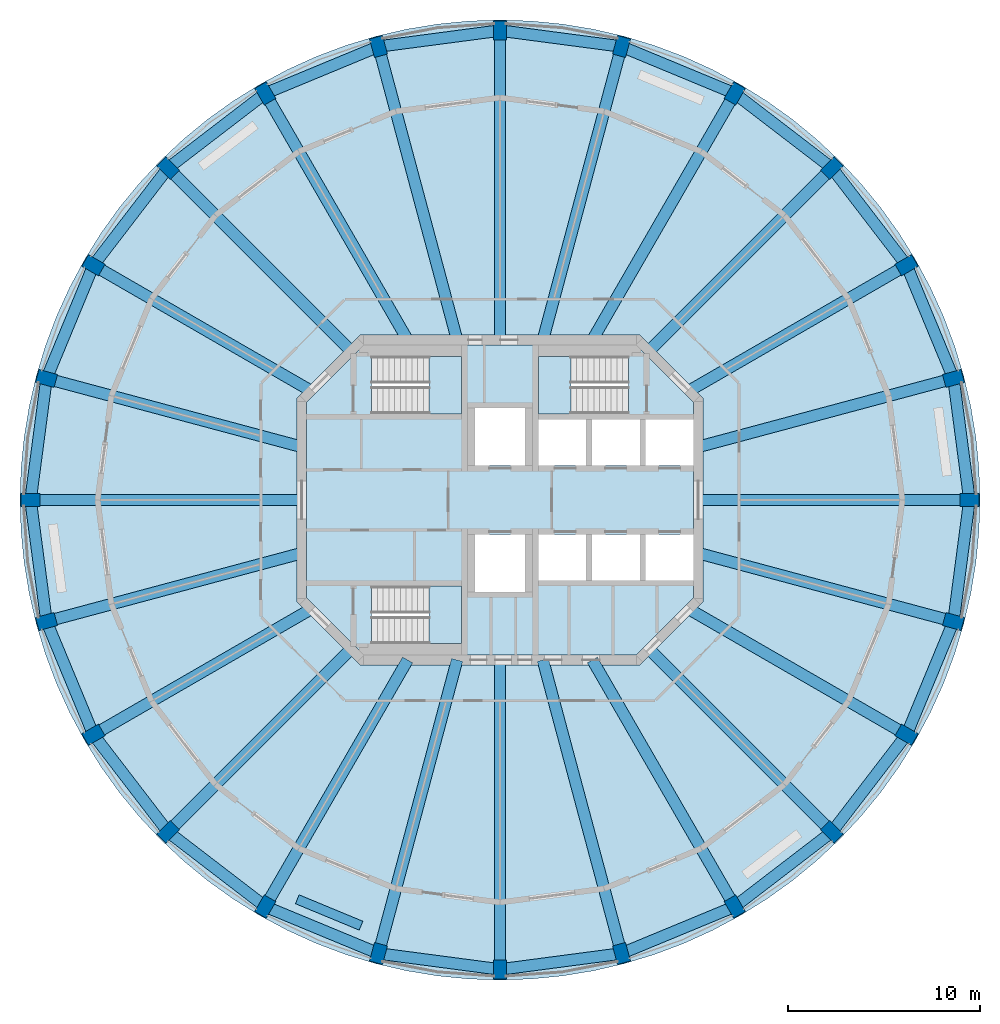
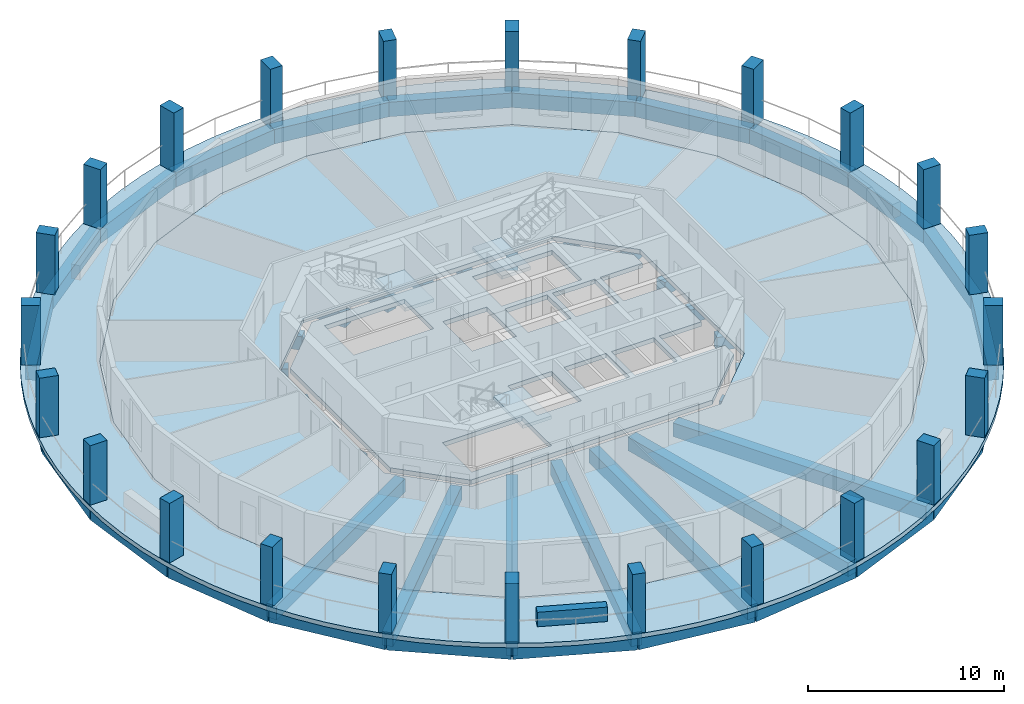
# One storey, part 1 of 9: 48 beams, 24 columns, 6 slabs, 1 wall, 3 elements without a shape of their own.
"""IFC4 building model written with IfcOpenShell, lengths in metres."""

from ifc_helpers import new_model, si_unit, direction, frame, frame_2d, origin, origin_2d, place, context, subcontext, project, spatial, polyline, rectangle, outline, extrude, material, layer, layer_set, material_profile, profile_set, type_object, element, aggregate, save


model = new_model("IFC4")

# Units and contexts
model_context = context("Model", 3, precision=1e-05, world=origin(), true_north=direction((0.0, 1.0)))
body_context = subcontext(model_context, "Body", "Model", "MODEL_VIEW")
ifc_project = project(units=[si_unit("LENGTHUNIT", "METRE"), si_unit("AREAUNIT", "SQUARE_METRE"), si_unit("VOLUMEUNIT", "CUBIC_METRE"), si_unit("PLANEANGLEUNIT", "RADIAN"), si_unit("MASSUNIT", "GRAM", prefix="KILO")], contexts=[model_context])

# Site, building, storey
site_placement = place(None, origin())
site = spatial("IfcSite", under=ifc_project, at=site_placement, CompositionType="ELEMENT")
building_placement = place(site_placement, origin())
building = spatial("IfcBuilding", under=site, at=building_placement, Name="Torre Triforio", CompositionType="ELEMENT")
storey_placement = place(building_placement, frame((0.0, 0.0, 264.89990234375)))
storey = spatial("IfcBuildingStorey", under=building, at=storey_placement, Name="L61", CompositionType="ELEMENT", Elevation=264.89990234375)

# Columns
ifc_material_1 = material(Name="Concrete C40", Category="concrete")
ifc_material_profile_1 = material_profile(ifc_material_1, rectangle(XDim=0.699951171875, YDim=1.0, at=origin_2d()), Name="RC 700x1000")
ifc_profile_set_1 = profile_set([ifc_material_profile_1], Name="Concrete C40")
column_type = type_object("IfcColumnType", Name="Pier RC 700x1000 C40", PredefinedType="COLUMN", material=ifc_profile_set_1)
for number, where, z_axis, x_axis, name in (
    (1, (24.5, 0.0, 0.0), (0.0, 0.0, 1.0), (0.0, 1.0, 0.0), "COL.R.L61.00"),
    (2, (23.665283203125, 6.341064453125, 0.0), (0.0, 0.0, 1.0), (-0.258819045103, 0.965925826289, 0.0), "COL.R.L61.01"),
    (3, (21.217529296875, 12.25, 0.0), (0.0, 0.0, 1.0), (-0.5, 0.866025403784, 0.0), "COL.R.L61.02"),
    (4, (17.32421875, 17.32421875, 0.0), (0.0, 0.0, 1.0), (-0.707106781187, 0.707106781187, 0.0), "COL.R.L61.03"),
    (5, (12.25, 21.217529296875, 0.0), (0.0, 0.0, 1.0), (-0.866025403784, 0.5, 0.0), "COL.R.L61.04"),
    (6, (6.341064453125, 23.665283203125, 0.0), (0.0, 0.0, 1.0), (-0.965925826289, 0.258819045103, 0.0), "COL.R.L61.05"),
    (7, (0.0, 24.5, 0.0), (0.0, 0.0, 1.0), (-1.0, 0.0, 0.0), "COL.R.L61.06"),
    (8, (-6.341064453125, 23.665283203125, 0.0), (0.0, 0.0, 1.0), (-0.965925826289, -0.258819045103, 0.0), "COL.R.L61.07"),
    (9, (-12.25, 21.217529296875, 0.0), (0.0, 0.0, 1.0), (-0.866025403784, -0.5, 0.0), "COL.R.L61.08"),
    (10, (-17.32421875, 17.32421875, 0.0), (0.0, 0.0, 1.0), (-0.707106781187, -0.707106781187, 0.0), "COL.R.L61.09"),
    (11, (-21.217529296875, 12.25, 0.0), (0.0, 0.0, 1.0), (-0.5, -0.866025403784, 0.0), "COL.R.L61.10"),
    (12, (-23.665283203125, 6.341064453125, 0.0), (0.0, 0.0, 1.0), (-0.258819045103, -0.965925826289, 0.0), "COL.R.L61.11"),
    (13, (-24.5, 0.0, 0.0), (0.0, 0.0, 1.0), (0.0, -1.0, 0.0), "COL.R.L61.12"),
    (14, (-23.665283203125, -6.341064453125, 0.0), (0.0, 0.0, 1.0), (0.258819045103, -0.965925826289, 0.0), "COL.R.L61.13"),
    (15, (-21.217529296875, -12.25, 0.0), (0.0, 0.0, 1.0), (0.5, -0.866025403784, 0.0), "COL.R.L61.14"),
    (16, (-17.32421875, -17.32421875, 0.0), (0.0, 0.0, 1.0), (0.707106781187, -0.707106781187, 0.0), "COL.R.L61.15"),
    (17, (-12.25, -21.217529296875, 0.0), (0.0, 0.0, 1.0), (0.866025403784, -0.5, 0.0), "COL.R.L61.16"),
    (18, (-6.341064453125, -23.665283203125, 0.0), (0.0, 0.0, 1.0), (0.965925826289, -0.258819045103, 0.0), "COL.R.L61.17"),
    (19, (0.0, -24.5, 0.0), (0.0, 0.0, 1.0), (1.0, 0.0, 0.0), "COL.R.L61.18"),
    (20, (6.341064453125, -23.665283203125, 0.0), (0.0, 0.0, 1.0), (0.965925826289, 0.258819045103, 0.0), "COL.R.L61.19"),
    (21, (12.25, -21.217529296875, 0.0), (0.0, 0.0, 1.0), (0.866025403784, 0.5, 0.0), "COL.R.L61.20"),
    (22, (17.32421875, -17.32421875, 0.0), (0.0, 0.0, 1.0), (0.707106781187, 0.707106781187, 0.0), "COL.R.L61.21"),
    (23, (21.217529296875, -12.25, 0.0), (0.0, 0.0, 1.0), (0.5, 0.866025403784, 0.0), "COL.R.L61.22"),
    (24, (23.665283203125, -6.341064453125, 0.0), (0.0, 0.0, 1.0), (0.258819045103, 0.965925826289, 0.0), "COL.R.L61.23"),
):
    element("IfcColumn", number, at=place(storey_placement, frame(where, z_axis=z_axis, x_axis=x_axis)), inside=storey, type_object=column_type, Name=name, PredefinedType="COLUMN", context=body_context, shape_type="SweptSolid", body=[
        extrude(rectangle(XDim=0.699951171875, YDim=1.0, at=origin_2d()), origin(), (0.0, 0.0, 1.0), 3.7001953125),
    ])

# Beams
ifc_material_profile_2 = material_profile(ifc_material_1, rectangle(XDim=0.60009765625, YDim=0.85009765625, at=origin_2d()), Name="RC 600x850")
ifc_profile_set_2 = profile_set([ifc_material_profile_2], Name="Concrete C40")
beam_type_1 = type_object("IfcBeamType", Name="Radial beam RC 600x850 C40", PredefinedType="BEAM", material=ifc_profile_set_2)
beam_1_placement = place(storey_placement, frame((10.35009765625, 0.0, -0.704833984375), z_axis=(1.0, 0.0, 0.0), x_axis=(0.0, 1.0, 0.0)))
element("IfcBeam", 25, at=beam_1_placement, inside=storey, type_object=beam_type_1, Name="BM.R.L61.00", PredefinedType="BEAM", context=body_context, shape_type="SweptSolid", body=[
    extrude(rectangle(XDim=0.60009765625, YDim=0.85009765625, at=origin_2d()), origin(), (0.0, 0.0, 1.0), 14.14990234375),
])
beam_2_placement = place(storey_placement, frame((10.35009765625, 2.773193359375, -0.704833984375), z_axis=(0.965924413872, 0.258824316257, 0.0), x_axis=(-0.258824316257, 0.965924413872, 0.0)))
element("IfcBeam", 26, at=beam_2_placement, inside=storey, type_object=beam_type_1, Name="BM.R.L61.01", PredefinedType="BEAM", context=body_context, shape_type="SweptSolid", body=[
    extrude(rectangle(XDim=0.60009765625, YDim=0.85009765625, at=origin_2d()), origin(), (0.0, 0.0, 1.0), 13.784912109375),
])
beam_3_placement = place(storey_placement, frame((9.860595703125, 5.693115234375, -0.704833984375), z_axis=(0.866026853401, 0.499997489182, 0.0), x_axis=(-0.499997489182, 0.866026853401, 0.0)))
element("IfcBeam", 27, at=beam_3_placement, inside=storey, type_object=beam_type_1, Name="BM.R.L61.02", PredefinedType="BEAM", context=body_context, shape_type="SweptSolid", body=[
    extrude(rectangle(XDim=0.60009765625, YDim=0.85009765625, at=origin_2d()), origin(), (0.0, 0.0, 1.0), 13.11376953125),
])
beam_4_placement = place(storey_placement, frame((7.77685546875, 7.77685546875, -0.704833984375), z_axis=(0.707106781187, 0.707106781187, 0.0), x_axis=(-0.707106781187, 0.707106781187, 0.0)))
element("IfcBeam", 28, at=beam_4_placement, inside=storey, type_object=beam_type_1, Name="BM.R.L61.03", PredefinedType="BEAM", context=body_context, shape_type="SweptSolid", body=[
    extrude(rectangle(XDim=0.60009765625, YDim=0.85009765625, at=origin_2d()), origin(), (0.0, 0.0, 1.0), 13.501953125),
])
beam_5_placement = place(storey_placement, frame((4.82080078125, 8.35009765625, -0.704833984375), z_axis=(0.50000929273, 0.866020038558, 0.0), x_axis=(-0.866020038558, 0.50000929273, 0.0)))
element("IfcBeam", 29, at=beam_5_placement, inside=storey, type_object=beam_type_1, Name="BM.R.L61.04", PredefinedType="BEAM", context=body_context, shape_type="SweptSolid", body=[
    extrude(rectangle(XDim=0.60009765625, YDim=0.85009765625, at=origin_2d()), origin(), (0.0, 0.0, 1.0), 14.858154296875),
])
beam_6_placement = place(storey_placement, frame((2.2373046875, 8.35009765625, -0.704833984375), z_axis=(0.258823056343, 0.965924751471, 0.0), x_axis=(-0.965924751471, 0.258823056343, 0.0)))
element("IfcBeam", 30, at=beam_6_placement, inside=storey, type_object=beam_type_1, Name="BM.R.L61.05", PredefinedType="BEAM", context=body_context, shape_type="SweptSolid", body=[
    extrude(rectangle(XDim=0.60009765625, YDim=0.85009765625, at=origin_2d()), origin(), (0.0, 0.0, 1.0), 15.85546875),
])
beam_7_placement = place(storey_placement, frame((0.0, 8.35009765625, -0.704833984375), z_axis=(0.0, 1.0, 0.0), x_axis=(-1.0, 0.0, 0.0)))
element("IfcBeam", 31, at=beam_7_placement, inside=storey, type_object=beam_type_1, Name="BM.R.L61.06", PredefinedType="BEAM", context=body_context, shape_type="SweptSolid", body=[
    extrude(rectangle(XDim=0.60009765625, YDim=0.85009765625, at=origin_2d()), origin(), (0.0, 0.0, 1.0), 16.14990234375),
])
beam_8_placement = place(storey_placement, frame((-2.2373046875, 8.35009765625, -0.704833984375), z_axis=(-0.258823056343, 0.965924751471, 0.0), x_axis=(-0.965924751471, -0.258823056343, 0.0)))
element("IfcBeam", 32, at=beam_8_placement, inside=storey, type_object=beam_type_1, Name="BM.R.L61.07", PredefinedType="BEAM", context=body_context, shape_type="SweptSolid", body=[
    extrude(rectangle(XDim=0.60009765625, YDim=0.85009765625, at=origin_2d()), origin(), (0.0, 0.0, 1.0), 15.85546875),
])
beam_9_placement = place(storey_placement, frame((-4.82080078125, 8.35009765625, -0.704833984375), z_axis=(-0.50000929273, 0.866020038558, 0.0), x_axis=(-0.866020038558, -0.50000929273, 0.0)))
element("IfcBeam", 33, at=beam_9_placement, inside=storey, type_object=beam_type_1, Name="BM.R.L61.08", PredefinedType="BEAM", context=body_context, shape_type="SweptSolid", body=[
    extrude(rectangle(XDim=0.60009765625, YDim=0.85009765625, at=origin_2d()), origin(), (0.0, 0.0, 1.0), 14.858154296875),
])
beam_10_placement = place(storey_placement, frame((-7.77685546875, 7.77685546875, -0.704833984375), z_axis=(-0.707106781187, 0.707106781187, 0.0), x_axis=(-0.707106781187, -0.707106781187, 0.0)))
element("IfcBeam", 34, at=beam_10_placement, inside=storey, type_object=beam_type_1, Name="BM.R.L61.09", PredefinedType="BEAM", context=body_context, shape_type="SweptSolid", body=[
    extrude(rectangle(XDim=0.60009765625, YDim=0.85009765625, at=origin_2d()), origin(), (0.0, 0.0, 1.0), 13.501953125),
])
beam_11_placement = place(storey_placement, frame((-9.860595703125, 5.693115234375, -0.704833984375), z_axis=(-0.866026853401, 0.499997489182, 0.0), x_axis=(-0.499997489182, -0.866026853401, 0.0)))
element("IfcBeam", 35, at=beam_11_placement, inside=storey, type_object=beam_type_1, Name="BM.R.L61.10", PredefinedType="BEAM", context=body_context, shape_type="SweptSolid", body=[
    extrude(rectangle(XDim=0.60009765625, YDim=0.85009765625, at=origin_2d()), origin(), (0.0, 0.0, 1.0), 13.11376953125),
])
beam_12_placement = place(storey_placement, frame((-10.35009765625, 2.773193359375, -0.704833984375), z_axis=(-0.965924413872, 0.258824316257, 0.0), x_axis=(-0.258824316257, -0.965924413872, 0.0)))
element("IfcBeam", 36, at=beam_12_placement, inside=storey, type_object=beam_type_1, Name="BM.R.L61.11", PredefinedType="BEAM", context=body_context, shape_type="SweptSolid", body=[
    extrude(rectangle(XDim=0.60009765625, YDim=0.85009765625, at=origin_2d()), origin(), (0.0, 0.0, 1.0), 13.784912109375),
])
beam_13_placement = place(storey_placement, frame((-10.35009765625, 0.0, -0.704833984375), z_axis=(-1.0, 0.0, 0.0), x_axis=(0.0, -1.0, 0.0)))
element("IfcBeam", 37, at=beam_13_placement, inside=storey, type_object=beam_type_1, Name="BM.R.L61.12", PredefinedType="BEAM", context=body_context, shape_type="SweptSolid", body=[
    extrude(rectangle(XDim=0.60009765625, YDim=0.85009765625, at=origin_2d()), origin(), (0.0, 0.0, 1.0), 14.14990234375),
])
beam_14_placement = place(storey_placement, frame((-10.35009765625, -2.773193359375, -0.704833984375), z_axis=(-0.965924413872, -0.258824316257, 0.0), x_axis=(0.258824316257, -0.965924413872, 0.0)))
element("IfcBeam", 38, at=beam_14_placement, inside=storey, type_object=beam_type_1, Name="BM.R.L61.13", PredefinedType="BEAM", context=body_context, shape_type="SweptSolid", body=[
    extrude(rectangle(XDim=0.60009765625, YDim=0.85009765625, at=origin_2d()), origin(), (0.0, 0.0, 1.0), 13.784912109375),
])
beam_15_placement = place(storey_placement, frame((-9.860595703125, -5.693115234375, -0.704833984375), z_axis=(-0.866026853401, -0.499997489182, 0.0), x_axis=(0.499997489182, -0.866026853401, 0.0)))
element("IfcBeam", 39, at=beam_15_placement, inside=storey, type_object=beam_type_1, Name="BM.R.L61.14", PredefinedType="BEAM", context=body_context, shape_type="SweptSolid", body=[
    extrude(rectangle(XDim=0.60009765625, YDim=0.85009765625, at=origin_2d()), origin(), (0.0, 0.0, 1.0), 13.11376953125),
])
beam_16_placement = place(storey_placement, frame((-7.77685546875, -7.77685546875, -0.704833984375), z_axis=(-0.707106781187, -0.707106781187, 0.0), x_axis=(0.707106781187, -0.707106781187, 0.0)))
element("IfcBeam", 40, at=beam_16_placement, inside=storey, type_object=beam_type_1, Name="BM.R.L61.15", PredefinedType="BEAM", context=body_context, shape_type="SweptSolid", body=[
    extrude(rectangle(XDim=0.60009765625, YDim=0.85009765625, at=origin_2d()), origin(), (0.0, 0.0, 1.0), 13.501953125),
])
beam_17_placement = place(storey_placement, frame((-4.82080078125, -8.35009765625, -0.704833984375), z_axis=(-0.50000929273, -0.866020038558, 0.0), x_axis=(0.866020038558, -0.50000929273, 0.0)))
element("IfcBeam", 41, at=beam_17_placement, inside=storey, type_object=beam_type_1, Name="BM.R.L61.16", PredefinedType="BEAM", context=body_context, shape_type="SweptSolid", body=[
    extrude(rectangle(XDim=0.60009765625, YDim=0.85009765625, at=origin_2d()), origin(), (0.0, 0.0, 1.0), 14.858154296875),
])
beam_18_placement = place(storey_placement, frame((-2.2373046875, -8.35009765625, -0.704833984375), z_axis=(-0.258823056343, -0.965924751471, 0.0), x_axis=(0.965924751471, -0.258823056343, 0.0)))
element("IfcBeam", 42, at=beam_18_placement, inside=storey, type_object=beam_type_1, Name="BM.R.L61.17", PredefinedType="BEAM", context=body_context, shape_type="SweptSolid", body=[
    extrude(rectangle(XDim=0.60009765625, YDim=0.85009765625, at=origin_2d()), origin(), (0.0, 0.0, 1.0), 15.85546875),
])
beam_19_placement = place(storey_placement, frame((0.0, -8.35009765625, -0.704833984375), z_axis=(0.0, -1.0, 0.0), x_axis=(1.0, 0.0, 0.0)))
element("IfcBeam", 43, at=beam_19_placement, inside=storey, type_object=beam_type_1, Name="BM.R.L61.18", PredefinedType="BEAM", context=body_context, shape_type="SweptSolid", body=[
    extrude(rectangle(XDim=0.60009765625, YDim=0.85009765625, at=origin_2d()), origin(), (0.0, 0.0, 1.0), 16.14990234375),
])
beam_20_placement = place(storey_placement, frame((2.2373046875, -8.35009765625, -0.704833984375), z_axis=(0.258823056343, -0.965924751471, 0.0), x_axis=(0.965924751471, 0.258823056343, 0.0)))
element("IfcBeam", 44, at=beam_20_placement, inside=storey, type_object=beam_type_1, Name="BM.R.L61.19", PredefinedType="BEAM", context=body_context, shape_type="SweptSolid", body=[
    extrude(rectangle(XDim=0.60009765625, YDim=0.85009765625, at=origin_2d()), origin(), (0.0, 0.0, 1.0), 15.85546875),
])
beam_21_placement = place(storey_placement, frame((4.82080078125, -8.35009765625, -0.704833984375), z_axis=(0.50000929273, -0.866020038558, 0.0), x_axis=(0.866020038558, 0.50000929273, 0.0)))
element("IfcBeam", 45, at=beam_21_placement, inside=storey, type_object=beam_type_1, Name="BM.R.L61.20", PredefinedType="BEAM", context=body_context, shape_type="SweptSolid", body=[
    extrude(rectangle(XDim=0.60009765625, YDim=0.85009765625, at=origin_2d()), origin(), (0.0, 0.0, 1.0), 14.858154296875),
])
beam_22_placement = place(storey_placement, frame((7.77685546875, -7.77685546875, -0.704833984375), z_axis=(0.707106781187, -0.707106781187, 0.0), x_axis=(0.707106781187, 0.707106781187, 0.0)))
element("IfcBeam", 46, at=beam_22_placement, inside=storey, type_object=beam_type_1, Name="BM.R.L61.21", PredefinedType="BEAM", context=body_context, shape_type="SweptSolid", body=[
    extrude(rectangle(XDim=0.60009765625, YDim=0.85009765625, at=origin_2d()), origin(), (0.0, 0.0, 1.0), 13.501953125),
])
beam_23_placement = place(storey_placement, frame((9.860595703125, -5.693115234375, -0.704833984375), z_axis=(0.866026853401, -0.499997489182, 0.0), x_axis=(0.499997489182, 0.866026853401, 0.0)))
element("IfcBeam", 47, at=beam_23_placement, inside=storey, type_object=beam_type_1, Name="BM.R.L61.22", PredefinedType="BEAM", context=body_context, shape_type="SweptSolid", body=[
    extrude(rectangle(XDim=0.60009765625, YDim=0.85009765625, at=origin_2d()), origin(), (0.0, 0.0, 1.0), 13.11376953125),
])
beam_24_placement = place(storey_placement, frame((10.35009765625, -2.773193359375, -0.704833984375), z_axis=(0.965924413872, -0.258824316257, 0.0), x_axis=(0.258824316257, 0.965924413872, 0.0)))
element("IfcBeam", 48, at=beam_24_placement, inside=storey, type_object=beam_type_1, Name="BM.R.L61.23", PredefinedType="BEAM", context=body_context, shape_type="SweptSolid", body=[
    extrude(rectangle(XDim=0.60009765625, YDim=0.85009765625, at=origin_2d()), origin(), (0.0, 0.0, 1.0), 13.784912109375),
])
ifc_material_profile_3 = material_profile(ifc_material_1, rectangle(XDim=0.60009765625, YDim=0.89990234375, at=origin_2d()), Name="RC 600x900")
ifc_profile_set_3 = profile_set([ifc_material_profile_3], Name="Concrete C40")
beam_type_2 = type_object("IfcBeamType", Name="Spandrel beam RC 600x900 C40", PredefinedType="SPANDREL", material=ifc_profile_set_3)
for number, where, z_axis, x_axis, name in (
    (49, (24.5, 0.0, -0.72998046875), (-0.130510796237, 0.991446888172, 0.0), (-0.991446888172, -0.130510796237, 0.0), "BM.S.L61.00"),
    (50, (23.665283203125, 6.341064453125, -0.72998046875), (-0.382709143949, 0.923868882006, 0.0), (-0.923868882006, -0.382709143949, 0.0), "BM.S.L61.01"),
    (51, (21.217529296875, 12.25, -0.72998046875), (-0.60873442055, 0.79337406388, 0.0), (-0.79337406388, -0.60873442055, 0.0), "BM.S.L61.02"),
    (52, (17.32421875, 17.32421875, -0.72998046875), (-0.79337406388, 0.60873442055, 0.0), (-0.60873442055, -0.79337406388, 0.0), "BM.S.L61.03"),
    (53, (12.25, 21.217529296875, -0.72998046875), (-0.923868882006, 0.382709143949, 0.0), (-0.382709143949, -0.923868882006, 0.0), "BM.S.L61.04"),
    (54, (6.341064453125, 23.665283203125, -0.72998046875), (-0.991446888172, 0.130510796237, 0.0), (-0.130510796237, -0.991446888172, 0.0), "BM.S.L61.05"),
    (55, (0.0, 24.5, -0.72998046875), (-0.991446888172, -0.130510796237, 0.0), (0.130510796237, -0.991446888172, 0.0), "BM.S.L61.06"),
    (56, (-6.341064453125, 23.665283203125, -0.72998046875), (-0.923868882006, -0.382709143949, 0.0), (0.382709143949, -0.923868882006, 0.0), "BM.S.L61.07"),
    (57, (-12.25, 21.217529296875, -0.72998046875), (-0.79337406388, -0.60873442055, 0.0), (0.60873442055, -0.79337406388, 0.0), "BM.S.L61.08"),
    (58, (-17.32421875, 17.32421875, -0.72998046875), (-0.60873442055, -0.79337406388, 0.0), (0.79337406388, -0.60873442055, 0.0), "BM.S.L61.09"),
    (59, (-21.217529296875, 12.25, -0.72998046875), (-0.382709143949, -0.923868882006, 0.0), (0.923868882006, -0.382709143949, 0.0), "BM.S.L61.10"),
    (60, (-23.665283203125, 6.341064453125, -0.72998046875), (-0.130510796237, -0.991446888172, 0.0), (0.991446888172, -0.130510796237, 0.0), "BM.S.L61.11"),
    (61, (-24.5, 0.0, -0.72998046875), (0.130510796237, -0.991446888172, 0.0), (0.991446888172, 0.130510796237, 0.0), "BM.S.L61.12"),
    (62, (-23.665283203125, -6.341064453125, -0.72998046875), (0.382709143949, -0.923868882006, 0.0), (0.923868882006, 0.382709143949, 0.0), "BM.S.L61.13"),
    (63, (-21.217529296875, -12.25, -0.72998046875), (0.60873442055, -0.79337406388, 0.0), (0.79337406388, 0.60873442055, 0.0), "BM.S.L61.14"),
    (64, (-17.32421875, -17.32421875, -0.72998046875), (0.79337406388, -0.60873442055, 0.0), (0.60873442055, 0.79337406388, 0.0), "BM.S.L61.15"),
    (65, (-12.25, -21.217529296875, -0.72998046875), (0.923868882006, -0.382709143949, 0.0), (0.382709143949, 0.923868882006, 0.0), "BM.S.L61.16"),
    (66, (-6.341064453125, -23.665283203125, -0.72998046875), (0.991446888172, -0.130510796237, 0.0), (0.130510796237, 0.991446888172, 0.0), "BM.S.L61.17"),
    (67, (0.0, -24.5, -0.72998046875), (0.991446888172, 0.130510796237, 0.0), (-0.130510796237, 0.991446888172, 0.0), "BM.S.L61.18"),
    (68, (6.341064453125, -23.665283203125, -0.72998046875), (0.923868882006, 0.382709143949, 0.0), (-0.382709143949, 0.923868882006, 0.0), "BM.S.L61.19"),
    (69, (12.25, -21.217529296875, -0.72998046875), (0.79337406388, 0.60873442055, 0.0), (-0.60873442055, 0.79337406388, 0.0), "BM.S.L61.20"),
    (70, (17.32421875, -17.32421875, -0.72998046875), (0.60873442055, 0.79337406388, 0.0), (-0.79337406388, 0.60873442055, 0.0), "BM.S.L61.21"),
    (71, (21.217529296875, -12.25, -0.72998046875), (0.382709143949, 0.923868882006, 0.0), (-0.923868882006, 0.382709143949, 0.0), "BM.S.L61.22"),
    (72, (23.665283203125, -6.341064453125, -0.72998046875), (0.130510796237, 0.991446888172, 0.0), (-0.991446888172, 0.130510796237, 0.0), "BM.S.L61.23"),
):
    element("IfcBeam", number, at=place(storey_placement, frame(where, z_axis=z_axis, x_axis=x_axis)), inside=storey, type_object=beam_type_2, Name=name, PredefinedType="SPANDREL", context=body_context, shape_type="SweptSolid", body=[
        extrude(rectangle(XDim=0.60009765625, YDim=0.89990234375, at=origin_2d()), origin(), (0.0, 0.0, 1.0), 6.395751953125),
    ])

# Slabs
ifc_layer_1 = layer(ifc_material_1, 0.280029296875)
ifc_layer_set_1 = layer_set([ifc_layer_1], Name="Concrete C40")
slab_type_1 = type_object("IfcSlabType", Name="Core floor slab 280 mm C40 REI 120", PredefinedType="FLOOR", material=ifc_layer_set_1)
slab_1_placement = place(storey_placement, frame((0.0, 0.0, -0.27978515625)))
element("IfcSlab", 73, at=slab_1_placement, inside=storey, type_object=slab_type_1, Name="Core floor slab", PredefinedType="FLOOR", context=body_context, shape_type="SweptSolid", body=[
    extrude(outline(polyline([(10.10009765625, -5.10009765625), (7.10009765625, -8.10009765625), (-7.10009765625, -8.10009765625), (-10.10009765625, -5.10009765625), (-10.10009765625, 5.10009765625), (-7.10009765625, 8.10009765625), (7.10009765625, 8.10009765625), (10.10009765625, 5.10009765625), (10.10009765625, 4.199951171875), (7.60009765625, 4.199951171875), (7.60009765625, 1.800048828125), (10.10009765625, 1.800048828125), (10.10009765625, -1.800048828125), (7.60009765625, -1.800048828125), (7.60009765625, -4.199951171875), (10.10009765625, -4.199951171875), (10.10009765625, -5.10009765625)]), holes=[polyline([(-6.696044921875, -4.5), (-6.696044921875, -7.5), (-2.0, -7.5), (-2.0, -4.5), (-6.696044921875, -4.5)]), polyline([(-1.300048828125, -1.800048828125), (-1.300048828125, -4.800048828125), (1.300048828125, -4.800048828125), (1.300048828125, -1.800048828125), (-1.300048828125, -1.800048828125)]), polyline([(2.0, -1.800048828125), (2.0, -4.199951171875), (4.5, -4.199951171875), (4.5, -1.800048828125), (2.0, -1.800048828125)]), polyline([(4.5, 4.199951171875), (2.0, 4.199951171875), (2.0, 1.800048828125), (4.5, 1.800048828125), (4.5, 4.199951171875)]), polyline([(1.300048828125, 4.800048828125), (-1.300048828125, 4.800048828125), (-1.300048828125, 1.800048828125), (1.300048828125, 1.800048828125), (1.300048828125, 4.800048828125)]), polyline([(-6.696044921875, 7.5), (-6.696044921875, 4.5), (-2.0, 4.5), (-2.0, 7.5), (-6.696044921875, 7.5)]), polyline([(7.300048828125, -1.800048828125), (4.800048828125, -1.800048828125), (4.800048828125, -4.199951171875), (7.300048828125, -4.199951171875), (7.300048828125, -1.800048828125)]), polyline([(4.800048828125, 4.199951171875), (4.800048828125, 1.800048828125), (7.300048828125, 1.800048828125), (7.300048828125, 4.199951171875), (4.800048828125, 4.199951171875)]), polyline([(6.696044921875, 7.5), (2.0, 7.5), (2.0, 4.5), (6.696044921875, 4.5), (6.696044921875, 7.5)])]), origin(), (0.0, 0.0, 1.0), 0.27978515625),
])
ifc_layer_2 = layer(ifc_material_1, 0.280029296875)
ifc_layer_set_2 = layer_set([ifc_layer_2], Name="Concrete C40")
slab_type_2 = type_object("IfcSlabType", Name="Floor slab 280 C40", PredefinedType="FLOOR", material=ifc_layer_set_2)
slab_2_placement = place(storey_placement, frame((0.0, 0.0, -0.27978515625)))
element("IfcSlab", 74, at=slab_2_placement, inside=storey, type_object=slab_type_2, Name="SL.L61", PredefinedType="FLOOR", context=body_context, shape_type="SweptSolid", body=[
    extrude(outline(polyline([(18.1865234375, -10.5), (20.284423828125, -5.435302734375), (21.0, 0.0), (20.284423828125, 5.435302734375), (18.1865234375, 10.5), (14.84912109375, 14.84912109375), (10.5, 18.1865234375), (5.435302734375, 20.284423828125), (0.0, 21.0), (-5.435302734375, 20.284423828125), (-10.5, 18.1865234375), (-14.84912109375, 14.84912109375), (-18.1865234375, 10.5), (-20.284423828125, 5.435302734375), (-21.0, 0.0), (-20.284423828125, -5.435302734375), (-18.1865234375, -10.5), (-14.84912109375, -14.84912109375), (-10.5, -18.1865234375), (-5.435302734375, -20.284423828125), (0.0, -21.0), (5.435302734375, -20.284423828125), (10.5, -18.1865234375), (14.84912109375, -14.84912109375), (18.1865234375, -10.5)]), holes=[polyline([(10.60009765625, 5.30712890625), (10.60009765625, -5.30712890625), (7.30712890625, -8.60009765625), (-7.30712890625, -8.60009765625), (-10.60009765625, -5.30712890625), (-10.60009765625, 5.30712890625), (-7.30712890625, 8.60009765625), (7.30712890625, 8.60009765625), (10.60009765625, 5.30712890625)])]), origin(), (0.0, 0.0, 1.0), 0.27978515625),
])
ifc_layer_3 = layer(ifc_material_1, 0.280029296875)
ifc_layer_set_3 = layer_set([ifc_layer_3], Name="Concrete C40")
slab_type_3 = type_object("IfcSlabType", Name="Loggia slab 280 C40", PredefinedType="FLOOR", material=ifc_layer_set_3)
slab_3_placement = place(storey_placement, frame((0.0, 0.0, -0.27978515625)))
element("IfcSlab", 75, at=slab_3_placement, inside=storey, type_object=slab_type_3, Name="SL.L61.LG", PredefinedType="FLOOR", context=body_context, shape_type="SweptSolid", body=[
    extrude(outline(polyline([(24.996337890625, -1.638427734375), (25.050048828125, 0.0), (24.996337890625, 1.638427734375), (24.835693359375, 3.269775390625), (24.568603515625, 4.886962890625), (24.196533203125, 6.4833984375), (23.720703125, 8.052001953125), (23.14306640625, 9.586181640625), (22.466552734375, 11.079345703125), (21.69384765625, 12.52490234375), (20.828369140625, 13.9169921875), (19.87353515625, 15.24951171875), (18.83349609375, 16.5166015625), (17.713134765625, 17.713134765625), (16.5166015625, 18.83349609375), (15.24951171875, 19.87353515625), (13.9169921875, 20.828369140625), (12.52490234375, 21.69384765625), (11.079345703125, 22.466552734375), (9.586181640625, 23.14306640625), (8.052001953125, 23.720703125), (6.4833984375, 24.196533203125), (4.886962890625, 24.568603515625), (3.269775390625, 24.835693359375), (1.638427734375, 24.996337890625), (0.0, 25.050048828125), (-1.638427734375, 24.996337890625), (-3.269775390625, 24.835693359375), (-4.886962890625, 24.568603515625), (-6.4833984375, 24.196533203125), (-8.052001953125, 23.720703125), (-9.586181640625, 23.14306640625), (-11.079345703125, 22.466552734375), (-12.52490234375, 21.69384765625), (-13.9169921875, 20.828369140625), (-15.24951171875, 19.87353515625), (-16.5166015625, 18.83349609375), (-17.713134765625, 17.713134765625), (-18.83349609375, 16.5166015625), (-19.87353515625, 15.24951171875), (-20.828369140625, 13.9169921875), (-21.69384765625, 12.52490234375), (-22.466552734375, 11.079345703125), (-23.14306640625, 9.586181640625), (-23.720703125, 8.052001953125), (-24.196533203125, 6.4833984375), (-24.568603515625, 4.886962890625), (-24.835693359375, 3.269775390625), (-24.996337890625, 1.638427734375), (-25.050048828125, 0.0), (-24.996337890625, -1.638427734375), (-24.835693359375, -3.269775390625), (-24.568603515625, -4.886962890625), (-24.196533203125, -6.4833984375), (-23.720703125, -8.052001953125), (-23.14306640625, -9.586181640625), (-22.466552734375, -11.079345703125), (-21.69384765625, -12.52490234375), (-20.828369140625, -13.9169921875), (-19.87353515625, -15.24951171875), (-18.83349609375, -16.5166015625), (-17.713134765625, -17.713134765625), (-16.5166015625, -18.83349609375), (-15.24951171875, -19.87353515625), (-13.9169921875, -20.828369140625), (-12.52490234375, -21.69384765625), (-11.079345703125, -22.466552734375), (-9.586181640625, -23.14306640625), (-8.052001953125, -23.720703125), (-6.4833984375, -24.196533203125), (-4.886962890625, -24.568603515625), (-3.269775390625, -24.835693359375), (-1.638427734375, -24.996337890625), (0.0, -25.050048828125), (1.638427734375, -24.996337890625), (3.269775390625, -24.835693359375), (4.886962890625, -24.568603515625), (6.4833984375, -24.196533203125), (8.052001953125, -23.720703125), (9.586181640625, -23.14306640625), (11.079345703125, -22.466552734375), (12.52490234375, -21.69384765625), (13.9169921875, -20.828369140625), (15.24951171875, -19.87353515625), (16.5166015625, -18.83349609375), (17.713134765625, -17.713134765625), (18.83349609375, -16.5166015625), (19.87353515625, -15.24951171875), (20.828369140625, -13.9169921875), (21.69384765625, -12.52490234375), (22.466552734375, -11.079345703125), (23.14306640625, -9.586181640625), (23.720703125, -8.052001953125), (24.196533203125, -6.4833984375), (24.568603515625, -4.886962890625), (24.835693359375, -3.269775390625), (24.996337890625, -1.638427734375)]), holes=[polyline([(20.284423828125, 5.435302734375), (21.0, 0.0), (20.284423828125, -5.435302734375), (18.1865234375, -10.5), (14.84912109375, -14.84912109375), (10.5, -18.1865234375), (5.435302734375, -20.284423828125), (0.0, -21.0), (-5.435302734375, -20.284423828125), (-10.5, -18.1865234375), (-14.84912109375, -14.84912109375), (-18.1865234375, -10.5), (-20.284423828125, -5.435302734375), (-21.0, 0.0), (-20.284423828125, 5.435302734375), (-18.1865234375, 10.5), (-14.84912109375, 14.84912109375), (-10.5, 18.1865234375), (-5.435302734375, 20.284423828125), (0.0, 21.0), (5.435302734375, 20.284423828125), (10.5, 18.1865234375), (14.84912109375, 14.84912109375), (18.1865234375, 10.5), (20.284423828125, 5.435302734375)])]), origin(), (0.0, 0.0, 1.0), 0.27978515625),
])

# Stair, slab
stair_type = type_object("IfcStairType", Name="STAIR HALF-TURN", PredefinedType="HALF_TURN_STAIR", material=ifc_material_1)
stair_1_placement = place(storey_placement, origin())
stair_1 = element("IfcStair", 76, at=stair_1_placement, inside=storey, type_object=stair_type, Name="Exit stair 1", PredefinedType="HALF_TURN_STAIR")
ifc_layer_4 = layer(ifc_material_1, 0.199951171875)
ifc_layer_set_4 = layer_set([ifc_layer_4], Name="Concrete C40")
slab_type_4 = type_object("IfcSlabType", Name="STAIR LANDING 200", PredefinedType="LANDING", material=ifc_layer_set_4)
slab_4_placement = place(storey_placement, frame((0.0, 0.0, 1.650146484375)))
slab_4 = element("IfcSlab", 77, at=slab_4_placement, type_object=slab_type_4, Name="ST1 landing 1", PredefinedType="LANDING", context=body_context, shape_type="SweptSolid", body=[
    extrude(outline(polyline([(-2.0, 4.5), (-2.0, 7.5), (-3.699951171875, 7.5), (-3.699951171875, 4.5), (-2.0, 4.5)])), origin(), (0.0, 0.0, 1.0), 0.199951171875),
])
aggregate(stair_1, [slab_4])

stair_2_placement = place(storey_placement, origin())
stair_2 = element("IfcStair", 78, at=stair_2_placement, inside=storey, type_object=stair_type, Name="Exit stair 2", PredefinedType="HALF_TURN_STAIR")
slab_5_placement = place(storey_placement, frame((0.0, 0.0, 1.650146484375)))
slab_5 = element("IfcSlab", 79, at=slab_5_placement, type_object=slab_type_4, Name="ST2 landing 1", PredefinedType="LANDING", context=body_context, shape_type="SweptSolid", body=[
    extrude(outline(polyline([(3.699951171875, 4.5), (3.699951171875, 7.5), (2.0, 7.5), (2.0, 4.5), (3.699951171875, 4.5)])), origin(), (0.0, 0.0, 1.0), 0.199951171875),
])
aggregate(stair_2, [slab_5])

stair_3_placement = place(storey_placement, origin())
stair_3 = element("IfcStair", 80, at=stair_3_placement, inside=storey, type_object=stair_type, Name="Exit stair 3", PredefinedType="HALF_TURN_STAIR")
slab_6_placement = place(storey_placement, frame((0.0, 0.0, 1.650146484375)))
slab_6 = element("IfcSlab", 81, at=slab_6_placement, type_object=slab_type_4, Name="ST3 landing 1", PredefinedType="LANDING", context=body_context, shape_type="SweptSolid", body=[
    extrude(outline(polyline([(-2.0, -7.5), (-2.0, -4.5), (-3.699951171875, -4.5), (-3.699951171875, -7.5), (-2.0, -7.5)])), origin(), (0.0, 0.0, 1.0), 0.199951171875),
])
aggregate(stair_3, [slab_6])

# Wall
ifc_material_2 = material(Name="Limestone cladding", Category="masonry")
ifc_layer_5 = layer(ifc_material_2, 0.10009765625)
ifc_layer_6 = layer(ifc_material_1, 0.39990234375)
ifc_layer_set_5 = layer_set([ifc_layer_5, ifc_layer_6], Name="Limestone cladding / Concrete C40")
wall_type = type_object("IfcWallType", Name="Planter wall 500", PredefinedType="PARAPET", material=ifc_layer_set_5)
wall_placement = place(storey_placement, frame((-10.57958984375, -20.837646484375, 0.0), z_axis=(0.0, 0.0, 1.0), x_axis=(0.923909393783, -0.382611332921, 0.0)))
element("IfcWall", 82, at=wall_placement, inside=storey, type_object=wall_type, Name="Planter L61 bay 17", PredefinedType="PARAPET", context=body_context, shape_type="SweptSolid", body=[
    extrude(rectangle(XDim=3.60009765625, YDim=0.5, at=frame_2d((1.800048828125, 0.0))), origin(), (0.0, 0.0, 1.0), 0.900146484375),
])

save(model, "model.ifc")
